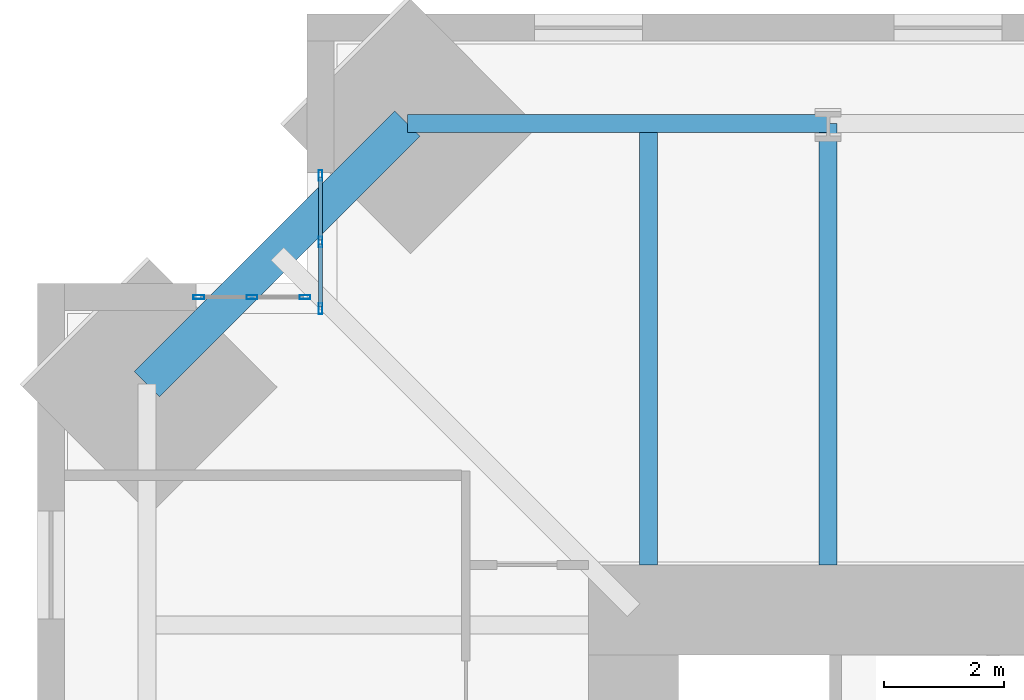
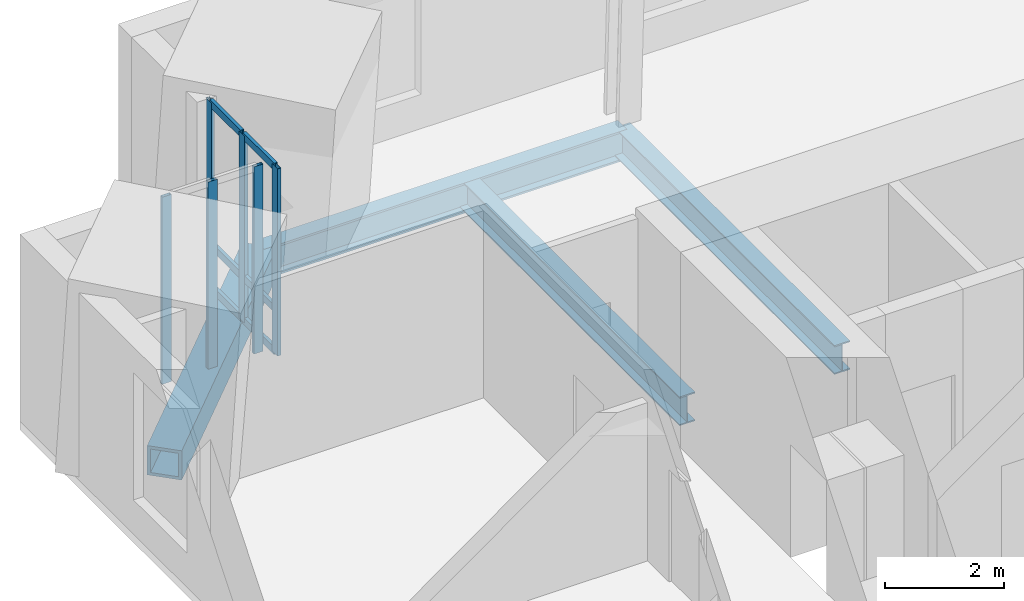
# One storey, part 6 of 15: 12 members, 4 beams, 2 elements without a shape of their own.
"""IFC4 building model written with IfcOpenShell, lengths in metres."""

from ifc_helpers import new_model, si_unit, direction, frame, origin, origin_2d, place, context, subcontext, project, spatial, hollow_rectangle, i_section, extrude, material, material_profile, profile_set, type_object, element, aggregate, save


model = new_model("IFC4")

# Units and contexts
model_context = context("Model", 3, precision=1e-05, world=origin(), true_north=direction((0.0, 1.0)))
body_context = subcontext(model_context, "Body", "Model", "MODEL_VIEW")
ifc_project = project(units=[si_unit("LENGTHUNIT", "METRE"), si_unit("AREAUNIT", "SQUARE_METRE"), si_unit("VOLUMEUNIT", "CUBIC_METRE"), si_unit("PLANEANGLEUNIT", "RADIAN"), si_unit("MASSUNIT", "GRAM", prefix="KILO")], contexts=[model_context])

# Site, building, storey
site_placement = place(None, origin())
site = spatial("IfcSite", under=ifc_project, at=site_placement, CompositionType="ELEMENT")
building_placement = place(site_placement, origin())
building = spatial("IfcBuilding", under=site, at=building_placement, Name="Peilmerk Tower", CompositionType="ELEMENT")
storey_placement = place(building_placement, frame((0.0, 0.0, 285.800048828125)))
storey = spatial("IfcBuildingStorey", under=building, at=storey_placement, Name="L64", CompositionType="ELEMENT", Elevation=285.800048828125)

# Beams
ifc_material_1 = material(Name="Steel S460", Category="steel")
ifc_material_profile_1 = material_profile(ifc_material_1, hollow_rectangle(XDim=0.60009765625, YDim=0.60009765625, WallThickness=0.06005859375, at=origin_2d()), Name="BOX 600x600x60")
ifc_profile_set_1 = profile_set([ifc_material_profile_1], Name="Steel S460")
beam_type_1 = type_object("IfcBeamType", Name="B20 BOX 600x600x60 notch beam", PredefinedType="SPANDREL", material=ifc_profile_set_1)
beam_1_placement = place(storey_placement, frame((-19.37255859375, 15.0224609375, -0.469970703125), z_axis=(0.707106781187, 0.707106781187, 0.0), x_axis=(-0.707106781187, 0.707106781187, 0.0)))
element("IfcBeam", 1, at=beam_1_placement, inside=storey, type_object=beam_type_1, Name="Notch beam L64", PredefinedType="SPANDREL", context=body_context, shape_type="SweptSolid", body=[
    extrude(hollow_rectangle(XDim=0.60009765625, YDim=0.60009765625, WallThickness=0.06005859375, at=origin_2d()), origin(), (0.0, 0.0, 1.0), 6.15185546875),
])
ifc_material_2 = material(Name="Steel S355", Category="steel")
ifc_material_profile_2 = material_profile(ifc_material_2, i_section(OverallWidth=0.300048828125, OverallDepth=0.590087890625, WebThickness=0.012939453125, FlangeThickness=0.02490234375, at=origin_2d()), Name="HEA 600")
ifc_profile_set_2 = profile_set([ifc_material_profile_2], Name="Steel S355")
beam_type_2 = type_object("IfcBeamType", Name="B27 HEA 600 floor beam", PredefinedType="BEAM", material=ifc_profile_set_2)
for number, where, z_axis, x_axis, name in (
    (2, (-8.0, 12.0, -0.465087890625), (0.0, 1.0, 0.0), (-1.0, 0.0, 0.0), "Floor beam L64"),
    (3, (-11.0, 12.0, -0.465087890625), (0.0, 1.0, 0.0), (-1.0, 0.0, 0.0), "Floor beam L64"),
):
    element("IfcBeam", number, at=place(storey_placement, frame(where, z_axis=z_axis, x_axis=x_axis)), inside=storey, type_object=beam_type_2, Name=name, PredefinedType="BEAM", context=body_context, shape_type="SweptSolid", body=[
        extrude(i_section(OverallWidth=0.300048828125, OverallDepth=0.590087890625, WebThickness=0.012939453125, FlangeThickness=0.02490234375, at=origin_2d()), origin(), (0.0, 0.0, 1.0), 7.37255859375),
    ])
ifc_material_profile_3 = material_profile(ifc_material_2, i_section(OverallWidth=0.304931640625, OverallDepth=0.6201171875, WebThickness=0.02099609375, FlangeThickness=0.0400390625, at=origin_2d()), Name="HEM 600")
ifc_profile_set_3 = profile_set([ifc_material_profile_3], Name="Steel S355")
beam_type_3 = type_object("IfcBeamType", Name="B31 HEM 600 edge beam", PredefinedType="SPANDREL", material=ifc_profile_set_3)
beam_2_placement = place(storey_placement, frame((-8.0, 19.37255859375, -0.47998046875), z_axis=(-1.0, 0.0, 0.0), x_axis=(0.0, -1.0, 0.0)))
element("IfcBeam", 4, at=beam_2_placement, inside=storey, type_object=beam_type_3, Name="Edge beam L64", PredefinedType="SPANDREL", context=body_context, shape_type="SweptSolid", body=[
    extrude(i_section(OverallWidth=0.304931640625, OverallDepth=0.6201171875, WebThickness=0.02099609375, FlangeThickness=0.0400390625, at=origin_2d()), origin(), (0.0, 0.0, 1.0), 7.0224609375),
])

# Curtain wall, members
ifc_material_3 = material(Name="Aluminium stick curtain wall", Category="aluminium")
curtain_wall_type = type_object("IfcCurtainWallType", Name="CW4 stick curtain wall, 2250 module", PredefinedType="NOTDEFINED", material=ifc_material_3)
curtain_wall_1_placement = place(storey_placement, origin())
curtain_wall_1 = element("IfcCurtainWall", 5, at=curtain_wall_1_placement, inside=storey, type_object=curtain_wall_type, Name="Curtain wall CW4 NWA L64", PredefinedType="NOTDEFINED")
ifc_material_4 = material(Name="Aluminium EN AW-6063 T6", Category="aluminium")
ifc_material_profile_4 = material_profile(ifc_material_4, hollow_rectangle(XDim=0.06494140625, YDim=0.179931640625, WallThickness=0.0029296875, at=origin_2d()), Name="AL 180x65x3")
ifc_profile_set_4 = profile_set([ifc_material_profile_4], Name="Aluminium EN AW-6063 T6")
member_type_1 = type_object("IfcMemberType", Name="CW4-M AL 180x65x3 mullion", PredefinedType="MULLION", material=ifc_profile_set_4)
member_1_placement = place(storey_placement, frame((-16.47509765625, 16.282470703125, 0.0), z_axis=(0.0, 0.0, 1.0), x_axis=(-1.0, 0.0, 0.0)))
member_1 = element("IfcMember", 6, at=member_1_placement, type_object=member_type_1, Name="CW4 mullion 1", PredefinedType="MULLION", context=body_context, shape_type="SweptSolid", body=[
    extrude(hollow_rectangle(XDim=0.06494140625, YDim=0.179931640625, WallThickness=0.0029296875, at=origin_2d()), origin(), (0.0, 0.0, 1.0), 3.829833984375),
])
member_2_placement = place(storey_placement, frame((-16.47509765625, 17.394287109375, 0.0), z_axis=(0.0, 0.0, 1.0), x_axis=(-1.0, 0.0, 0.0)))
member_2 = element("IfcMember", 7, at=member_2_placement, type_object=member_type_1, Name="CW4 mullion 2", PredefinedType="MULLION", context=body_context, shape_type="SweptSolid", body=[
    extrude(hollow_rectangle(XDim=0.06494140625, YDim=0.179931640625, WallThickness=0.0029296875, at=origin_2d()), origin(), (0.0, 0.0, 1.0), 3.829833984375),
])
member_3_placement = place(storey_placement, frame((-16.47509765625, 18.506103515625, 0.0), z_axis=(0.0, 0.0, 1.0), x_axis=(-1.0, 0.0, 0.0)))
member_3 = element("IfcMember", 8, at=member_3_placement, type_object=member_type_1, Name="CW4 mullion 3", PredefinedType="MULLION", context=body_context, shape_type="SweptSolid", body=[
    extrude(hollow_rectangle(XDim=0.06494140625, YDim=0.179931640625, WallThickness=0.0029296875, at=origin_2d()), origin(), (0.0, 0.0, 1.0), 3.829833984375),
])

curtain_wall_2_placement = place(storey_placement, origin())
curtain_wall_2 = element("IfcCurtainWall", 9, at=curtain_wall_2_placement, inside=storey, type_object=curtain_wall_type, Name="Curtain wall CW4 NWB L64", PredefinedType="NOTDEFINED")
member_4_placement = place(storey_placement, frame((-16.732421875, 16.47509765625, 0.0), z_axis=(0.0, 0.0, 1.0), x_axis=(0.0, -1.0, 0.0)))
member_4 = element("IfcMember", 10, at=member_4_placement, type_object=member_type_1, Name="CW4 mullion 1", PredefinedType="MULLION", context=body_context, shape_type="SweptSolid", body=[
    extrude(hollow_rectangle(XDim=0.06494140625, YDim=0.179931640625, WallThickness=0.0029296875, at=origin_2d()), origin(), (0.0, 0.0, 1.0), 3.829833984375),
])
member_5_placement = place(storey_placement, frame((-17.619384765625, 16.47509765625, 0.0), z_axis=(0.0, 0.0, 1.0), x_axis=(0.0, -1.0, 0.0)))
member_5 = element("IfcMember", 11, at=member_5_placement, type_object=member_type_1, Name="CW4 mullion 2", PredefinedType="MULLION", context=body_context, shape_type="SweptSolid", body=[
    extrude(hollow_rectangle(XDim=0.06494140625, YDim=0.179931640625, WallThickness=0.0029296875, at=origin_2d()), origin(), (0.0, 0.0, 1.0), 3.829833984375),
])
member_6_placement = place(storey_placement, frame((-18.506103515625, 16.47509765625, 0.0), z_axis=(0.0, 0.0, 1.0), x_axis=(0.0, -1.0, 0.0)))
member_6 = element("IfcMember", 12, at=member_6_placement, type_object=member_type_1, Name="CW4 mullion 3", PredefinedType="MULLION", context=body_context, shape_type="SweptSolid", body=[
    extrude(hollow_rectangle(XDim=0.06494140625, YDim=0.179931640625, WallThickness=0.0029296875, at=origin_2d()), origin(), (0.0, 0.0, 1.0), 3.829833984375),
])
aggregate(curtain_wall_2, [member_4, member_5, member_6])

# Member
ifc_material_profile_5 = material_profile(ifc_material_4, hollow_rectangle(XDim=0.06494140625, YDim=0.14990234375, WallThickness=0.0029296875, at=origin_2d()), Name="AL 150x65x3")
ifc_profile_set_5 = profile_set([ifc_material_profile_5], Name="Aluminium EN AW-6063 T6")
member_type_2 = type_object("IfcMemberType", Name="CW4-T AL 150x65x3 transom", PredefinedType="USERDEFINED", material=ifc_profile_set_5)
member_7_placement = place(storey_placement, frame((-16.47509765625, 16.31494140625, 0.032470703125), z_axis=(0.0, 1.0, 0.0), x_axis=(-1.0, 0.0, 0.0)))
member_7 = element("IfcMember", 13, at=member_7_placement, type_object=member_type_2, Name="CW4 transom 1.1", ObjectType="TRANSOM", PredefinedType="USERDEFINED", context=body_context, shape_type="SweptSolid", body=[
    extrude(hollow_rectangle(XDim=0.06494140625, YDim=0.14990234375, WallThickness=0.0029296875, at=origin_2d()), origin(), (0.0, 0.0, 1.0), 1.046875),
])

member_8_placement = place(storey_placement, frame((-16.47509765625, 16.31494140625, 0.89990234375), z_axis=(0.0, 1.0, 0.0), x_axis=(-1.0, 0.0, 0.0)))
member_8 = element("IfcMember", 14, at=member_8_placement, type_object=member_type_2, Name="CW4 transom 1.2", ObjectType="TRANSOM", PredefinedType="USERDEFINED", context=body_context, shape_type="SweptSolid", body=[
    extrude(hollow_rectangle(XDim=0.06494140625, YDim=0.14990234375, WallThickness=0.0029296875, at=origin_2d()), origin(), (0.0, 0.0, 1.0), 1.046875),
])

member_9_placement = place(storey_placement, frame((-16.47509765625, 16.31494140625, 3.79736328125), z_axis=(0.0, 1.0, 0.0), x_axis=(-1.0, 0.0, 0.0)))
member_9 = element("IfcMember", 15, at=member_9_placement, type_object=member_type_2, Name="CW4 transom 1.3", ObjectType="TRANSOM", PredefinedType="USERDEFINED", context=body_context, shape_type="SweptSolid", body=[
    extrude(hollow_rectangle(XDim=0.06494140625, YDim=0.14990234375, WallThickness=0.0029296875, at=origin_2d()), origin(), (0.0, 0.0, 1.0), 1.046875),
])

member_10_placement = place(storey_placement, frame((-16.47509765625, 17.4267578125, 0.032470703125), z_axis=(0.0, 1.0, 0.0), x_axis=(-1.0, 0.0, 0.0)))
member_10 = element("IfcMember", 16, at=member_10_placement, type_object=member_type_2, Name="CW4 transom 2.1", ObjectType="TRANSOM", PredefinedType="USERDEFINED", context=body_context, shape_type="SweptSolid", body=[
    extrude(hollow_rectangle(XDim=0.06494140625, YDim=0.14990234375, WallThickness=0.0029296875, at=origin_2d()), origin(), (0.0, 0.0, 1.0), 1.046875),
])

member_11_placement = place(storey_placement, frame((-16.47509765625, 17.4267578125, 0.89990234375), z_axis=(0.0, 1.0, 0.0), x_axis=(-1.0, 0.0, 0.0)))
member_11 = element("IfcMember", 17, at=member_11_placement, type_object=member_type_2, Name="CW4 transom 2.2", ObjectType="TRANSOM", PredefinedType="USERDEFINED", context=body_context, shape_type="SweptSolid", body=[
    extrude(hollow_rectangle(XDim=0.06494140625, YDim=0.14990234375, WallThickness=0.0029296875, at=origin_2d()), origin(), (0.0, 0.0, 1.0), 1.046875),
])

member_12_placement = place(storey_placement, frame((-16.47509765625, 17.4267578125, 3.79736328125), z_axis=(0.0, 1.0, 0.0), x_axis=(-1.0, 0.0, 0.0)))
member_12 = element("IfcMember", 18, at=member_12_placement, type_object=member_type_2, Name="CW4 transom 2.3", ObjectType="TRANSOM", PredefinedType="USERDEFINED", context=body_context, shape_type="SweptSolid", body=[
    extrude(hollow_rectangle(XDim=0.06494140625, YDim=0.14990234375, WallThickness=0.0029296875, at=origin_2d()), origin(), (0.0, 0.0, 1.0), 1.046875),
])

aggregate(curtain_wall_1, [member_1, member_2, member_3, member_7, member_8, member_9, member_10, member_11, member_12])

save(model, "model.ifc")
